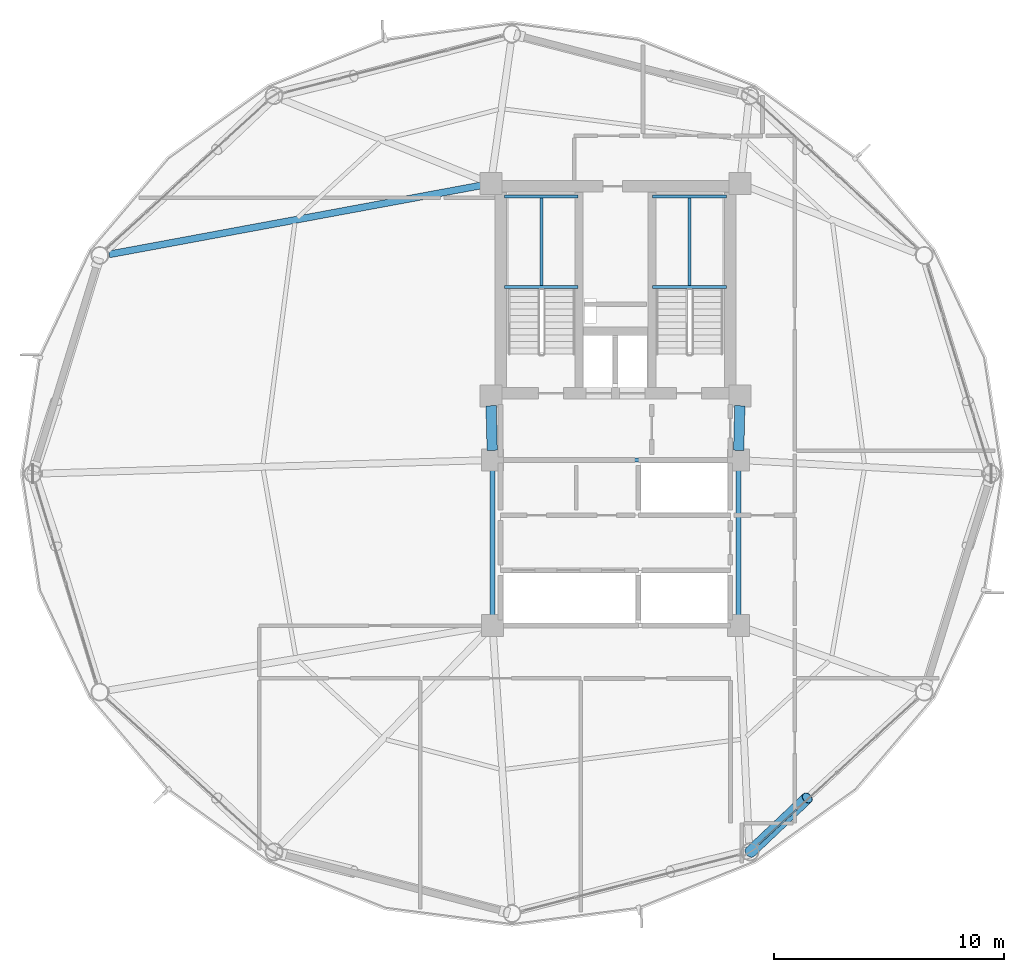
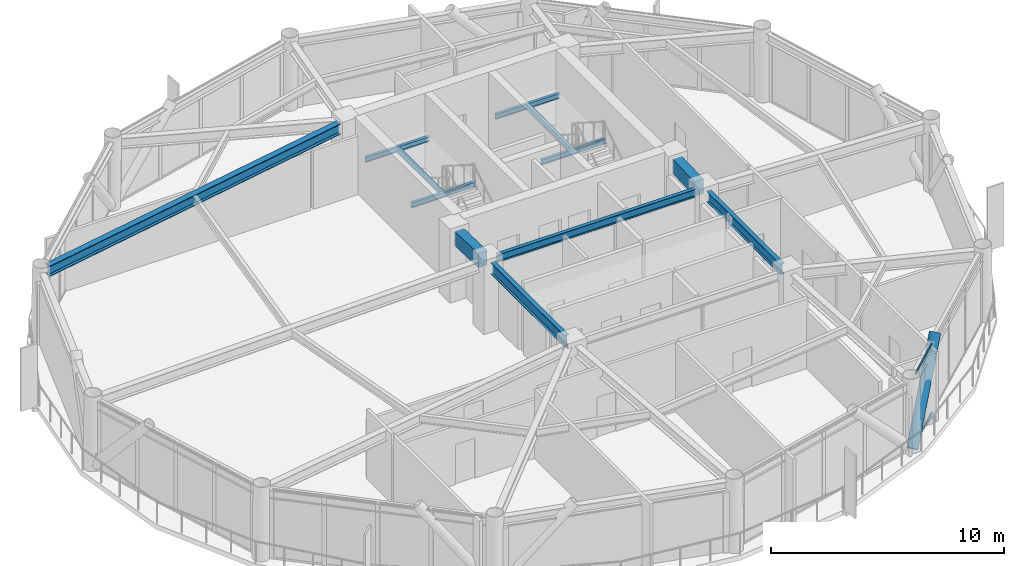
# One storey, part 12 of 25: 12 beams, 3 members, 1 element without a shape of its own.
"""IFC4 building model written with IfcOpenShell, lengths in metres."""

from ifc_helpers import new_model, si_unit, direction, frame, origin, origin_2d, place, context, subcontext, project, spatial, rectangle, hollow_rectangle, hollow_circle, i_section, extrude, material, layer, layer_set, material_profile, profile_set, type_object, element, aggregate, save


model = new_model("IFC4")

# Units and contexts
model_context = context("Model", 3, precision=1e-05, world=origin(), true_north=direction((0.0, 1.0)))
body_context = subcontext(model_context, "Body", "Model", "MODEL_VIEW")
ifc_project = project(units=[si_unit("LENGTHUNIT", "METRE"), si_unit("AREAUNIT", "SQUARE_METRE"), si_unit("VOLUMEUNIT", "CUBIC_METRE"), si_unit("PLANEANGLEUNIT", "RADIAN"), si_unit("MASSUNIT", "GRAM", prefix="KILO")], contexts=[model_context])

# Site, building, storey
site_placement = place(None, origin())
site = spatial("IfcSite", under=ifc_project, at=site_placement, CompositionType="ELEMENT")
building_placement = place(site_placement, origin())
building = spatial("IfcBuilding", under=site, at=building_placement, Name="Varnakorn Sky Granary", CompositionType="ELEMENT")
storey_placement = place(building_placement, frame((0.0, 0.0, 146.10009765625)))
storey = spatial("IfcBuildingStorey", under=building, at=storey_placement, Name="L36", CompositionType="ELEMENT", Elevation=146.10009765625)

# Beams
ifc_material_1 = material(Name="Steel S355JR", Category="steel")
ifc_material_profile_1 = material_profile(ifc_material_1, i_section(OverallWidth=0.2099609375, OverallDepth=0.550048828125, WebThickness=0.010986328125, FlangeThickness=0.01708984375, at=origin_2d()), Name="IPE 550")
ifc_profile_set_1 = profile_set([ifc_material_profile_1], Name="Steel S355JR")
beam_type_1 = type_object("IfcBeamType", Name="BM-JST-550", PredefinedType="JOIST", material=ifc_profile_set_1)
beam_1_placement = place(storey_placement, frame((8.35009765625, 0.179931640625, 3.364990234375), z_axis=(0.0, -1.0, 0.0), x_axis=(1.0, 0.0, 0.0)))
element("IfcBeam", 1, at=beam_1_placement, inside=storey, type_object=beam_type_1, Name="Core Spine Framing Beam 4 L36", PredefinedType="JOIST", context=body_context, shape_type="SweptSolid", body=[
    extrude(i_section(OverallWidth=0.2099609375, OverallDepth=0.550048828125, WebThickness=0.010986328125, FlangeThickness=0.01708984375, at=origin_2d()), origin(), (0.0, 0.0, 1.0), 6.35986328125),
])
ifc_material_profile_2 = material_profile(ifc_material_1, i_section(OverallWidth=0.219970703125, OverallDepth=0.60009765625, WebThickness=0.011962890625, FlangeThickness=0.01904296875, at=origin_2d()), Name="IPE 600")
ifc_profile_set_2 = profile_set([ifc_material_profile_2], Name="Steel S355JR")
beam_type_2 = type_object("IfcBeamType", Name="BM-JST-600", PredefinedType="JOIST", material=ifc_profile_set_2)
beam_2_placement = place(storey_placement, frame((-2.35009765625, 0.179931640625, 3.33984375), z_axis=(0.0, -1.0, 0.0), x_axis=(1.0, 0.0, 0.0)))
element("IfcBeam", 2, at=beam_2_placement, inside=storey, type_object=beam_type_2, Name="Core Spine Framing Beam 3 L36", PredefinedType="JOIST", context=body_context, shape_type="SweptSolid", body=[
    extrude(i_section(OverallWidth=0.219970703125, OverallDepth=0.60009765625, WebThickness=0.011962890625, FlangeThickness=0.01904296875, at=origin_2d()), origin(), (0.0, 0.0, 1.0), 6.35986328125),
])
ifc_material_2 = material(Name="Concrete C60/75", Category="concrete")
ifc_material_profile_3 = material_profile(ifc_material_2, rectangle(XDim=0.449951171875, YDim=0.75, at=origin_2d()), Name="RC 450x750")
ifc_profile_set_3 = profile_set([ifc_material_profile_3], Name="Concrete C60/75")
beam_type_3 = type_object("IfcBeamType", Name="BM-LIN-750", PredefinedType="LINTEL", material=ifc_profile_set_3)
for number, where, z_axis, x_axis, name in (
    (3, (-2.409423828125, 2.960205078125, 3.264892578125), (0.025158763514, -0.999683468213, 0.0), (0.999683468213, 0.025158763514, 0.0), "Core Spine Framing Beam 1 L36"),
    (4, (8.409423828125, 2.960205078125, 3.264892578125), (-0.025158763514, -0.999683468213, 0.0), (0.999683468213, -0.025158763514, 0.0), "Core Spine Framing Beam 2 L36"),
):
    element("IfcBeam", number, at=place(storey_placement, frame(where, z_axis=z_axis, x_axis=x_axis)), inside=storey, type_object=beam_type_3, Name=name, PredefinedType="LINTEL", context=body_context, shape_type="SweptSolid", body=[
        extrude(rectangle(XDim=0.449951171875, YDim=0.75, at=origin_2d()), origin(), (0.0, 0.0, 1.0), 1.94091796875),
    ])
ifc_material_profile_4 = material_profile(ifc_material_1, i_section(OverallWidth=0.135009765625, OverallDepth=0.27001953125, WebThickness=0.006591796875, FlangeThickness=0.01025390625, at=origin_2d()), Name="IPE 270")
ifc_profile_set_4 = profile_set([ifc_material_profile_4], Name="Steel S355JR")
beam_type_4 = type_object("IfcBeamType", Name="BM-LND-270", PredefinedType="BEAM", material=ifc_profile_set_4)
for number, where, z_axis, x_axis, name in (
    (5, (-1.820068359375, 8.1201171875, 1.614990234375), (1.0, 0.0, 0.0), (0.0, 1.0, 0.0), "Stair ST-1 Landing Trimmer Beam A L36-1"),
    (6, (-1.820068359375, 12.06005859375, 1.614990234375), (1.0, 0.0, 0.0), (0.0, 1.0, 0.0), "Stair ST-1 Landing Trimmer Beam B L36-1"),
):
    element("IfcBeam", number, at=place(storey_placement, frame(where, z_axis=z_axis, x_axis=x_axis)), inside=storey, type_object=beam_type_4, Name=name, PredefinedType="BEAM", context=body_context, shape_type="SweptSolid", body=[
        extrude(i_section(OverallWidth=0.135009765625, OverallDepth=0.27001953125, WebThickness=0.006591796875, FlangeThickness=0.01025390625, at=origin_2d()), origin(), (0.0, 0.0, 1.0), 3.199951171875),
    ])
beam_3_placement = place(storey_placement, frame((-0.219970703125, 8.1201171875, 1.614990234375), z_axis=(0.0, 1.0, 0.0), x_axis=(-1.0, 0.0, 0.0)))
element("IfcBeam", 7, at=beam_3_placement, inside=storey, type_object=beam_type_4, Name="Stair ST-1 Landing Cross Beam C L36-1", PredefinedType="BEAM", context=body_context, shape_type="SweptSolid", body=[
    extrude(i_section(OverallWidth=0.135009765625, OverallDepth=0.27001953125, WebThickness=0.006591796875, FlangeThickness=0.01025390625, at=origin_2d()), origin(), (0.0, 0.0, 1.0), 3.93994140625),
])
for number, where, z_axis, x_axis, name in (
    (8, (4.6201171875, 8.1201171875, 1.614990234375), (1.0, 0.0, 0.0), (0.0, 1.0, 0.0), "Stair ST-2 Landing Trimmer Beam A L36-1"),
    (9, (4.6201171875, 12.06005859375, 1.614990234375), (1.0, 0.0, 0.0), (0.0, 1.0, 0.0), "Stair ST-2 Landing Trimmer Beam B L36-1"),
):
    element("IfcBeam", number, at=place(storey_placement, frame(where, z_axis=z_axis, x_axis=x_axis)), inside=storey, type_object=beam_type_4, Name=name, PredefinedType="BEAM", context=body_context, shape_type="SweptSolid", body=[
        extrude(i_section(OverallWidth=0.135009765625, OverallDepth=0.27001953125, WebThickness=0.006591796875, FlangeThickness=0.01025390625, at=origin_2d()), origin(), (0.0, 0.0, 1.0), 3.199951171875),
    ])
beam_4_placement = place(storey_placement, frame((6.219970703125, 8.1201171875, 1.614990234375), z_axis=(0.0, 1.0, 0.0), x_axis=(-1.0, 0.0, 0.0)))
element("IfcBeam", 10, at=beam_4_placement, inside=storey, type_object=beam_type_4, Name="Stair ST-2 Landing Cross Beam C L36-1", PredefinedType="BEAM", context=body_context, shape_type="SweptSolid", body=[
    extrude(i_section(OverallWidth=0.135009765625, OverallDepth=0.27001953125, WebThickness=0.006591796875, FlangeThickness=0.01025390625, at=origin_2d()), origin(), (0.0, 0.0, 1.0), 3.93994140625),
])
ifc_material_profile_5 = material_profile(ifc_material_1, i_section(OverallWidth=0.300048828125, OverallDepth=0.550048828125, WebThickness=0.014892578125, FlangeThickness=0.029052734375, at=origin_2d()), Name="HE 550 B")
ifc_profile_set_5 = profile_set([ifc_material_profile_5], Name="Steel S355JR")
beam_type_5 = type_object("IfcBeamType", Name="BM-RAD-Z3", PredefinedType="BEAM", material=ifc_profile_set_5)
beam_5_placement = place(storey_placement, frame((-2.8330078125, 12.54345703125, 3.364990234375), z_axis=(-0.983256625891, -0.182226253986, 0.0), x_axis=(0.182226253986, -0.983256625891, 0.0)))
element("IfcBeam", 11, at=beam_5_placement, inside=storey, type_object=beam_type_5, Name="Radial Floor Girder RG06 L36", PredefinedType="BEAM", context=body_context, shape_type="SweptSolid", body=[
    extrude(i_section(OverallWidth=0.300048828125, OverallDepth=0.550048828125, WebThickness=0.014892578125, FlangeThickness=0.029052734375, at=origin_2d()), origin(), (0.0, 0.0, 1.0), 16.46435546875),
])
ifc_material_profile_6 = material_profile(ifc_material_1, i_section(OverallWidth=0.179931640625, OverallDepth=0.39990234375, WebThickness=0.008544921875, FlangeThickness=0.013427734375, at=origin_2d()), Name="IPE 400")
ifc_profile_set_6 = profile_set([ifc_material_profile_6], Name="Steel S355JR")
beam_type_6 = type_object("IfcBeamType", Name="BM-SEC-Z3", PredefinedType="BEAM", material=ifc_profile_set_6)
beam_6_placement = place(storey_placement, frame((-1.929931640625, 0.60009765625, 3.43994140625), z_axis=(1.0, 0.0, 0.0), x_axis=(0.0, 1.0, 0.0)))
element("IfcBeam", 12, at=beam_6_placement, inside=storey, type_object=beam_type_6, Name="Core Spine Framing Beam 5 L36", PredefinedType="BEAM", context=body_context, shape_type="SweptSolid", body=[
    extrude(i_section(OverallWidth=0.179931640625, OverallDepth=0.39990234375, WebThickness=0.008544921875, FlangeThickness=0.013427734375, at=origin_2d()), origin(), (0.0, 0.0, 1.0), 9.85986328125),
])

# Curtain wall, members
ifc_material_3 = material(Name="Anodised Bronze Aluminium Alloy 6063-T6", Category="aluminium")
ifc_layer = layer(ifc_material_3, 0.179931640625, Name="Anodised Bronze Aluminium Alloy 6063-T6")
ifc_layer_set = layer_set([ifc_layer], Name="Anodised Bronze Aluminium Alloy 6063-T6")
curtain_wall_type = type_object("IfcCurtainWallType", Name="CW-FRM-2", PredefinedType="USERDEFINED", material=ifc_layer_set)
curtain_wall_placement = place(storey_placement, origin())
curtain_wall = element("IfcCurtainWall", 13, at=curtain_wall_placement, inside=storey, type_object=curtain_wall_type, Name="Unitised Curtain Wall CW4 CW-L36-B11", ObjectType="CURTAIN WALL", PredefinedType="USERDEFINED")
ifc_material_profile_7 = material_profile(ifc_material_3, hollow_rectangle(XDim=0.06494140625, YDim=0.1201171875, WallThickness=0.00341796875, at=origin_2d()), Name="ALU TRAN 65x120")
ifc_profile_set_7 = profile_set([ifc_material_profile_7], Name="Anodised Bronze Aluminium Alloy 6063-T6")
member_type_1 = type_object("IfcMemberType", Name="CW-FRM-2-TRAN", PredefinedType="USERDEFINED", material=ifc_profile_set_7)
member_1_placement = place(storey_placement, frame((10.8896484375, -14.59130859375, 0.032470703125), z_axis=(-0.736933057547, -0.675965730415, 0.0), x_axis=(0.675965730415, -0.736933057547, 0.0)))
member_1 = element("IfcMember", 14, at=member_1_placement, type_object=member_type_1, Name="CW4 transom 4.1", ObjectType="TRANSOM", PredefinedType="USERDEFINED", context=body_context, shape_type="SweptSolid", body=[
    extrude(hollow_rectangle(XDim=0.06494140625, YDim=0.1201171875, WallThickness=0.00341796875, at=origin_2d()), origin(), (0.0, 0.0, 1.0), 2.24658203125),
])
member_2_placement = place(storey_placement, frame((10.8896484375, -14.59130859375, 3.607421875), z_axis=(-0.736933057547, -0.675965730415, 0.0), x_axis=(0.675965730415, -0.736933057547, 0.0)))
member_2 = element("IfcMember", 15, at=member_2_placement, type_object=member_type_1, Name="CW4 transom 4.2", ObjectType="TRANSOM", PredefinedType="USERDEFINED", context=body_context, shape_type="SweptSolid", body=[
    extrude(hollow_rectangle(XDim=0.06494140625, YDim=0.1201171875, WallThickness=0.00341796875, at=origin_2d()), origin(), (0.0, 0.0, 1.0), 2.24658203125),
])
aggregate(curtain_wall, [member_1, member_2])

# Member
ifc_material_4 = material(Name="Steel S460M", Category="steel")
ifc_material_profile_8 = material_profile(ifc_material_4, hollow_circle(Radius=0.25390625, WallThickness=0.01806640625, at=origin_2d()), Name="CHS 508x18")
ifc_profile_set_8 = profile_set([ifc_material_profile_8], Name="Steel S460M")
member_type_2 = type_object("IfcMemberType", Name="MB-DIAG-T2", PredefinedType="BRACE", material=ifc_profile_set_8)
member_3_placement = place(storey_placement, frame((8.857421875, -16.455322265625, 0.0), z_axis=(0.48673440517, 0.460920559286, 0.742052462331), x_axis=(-0.687590348597, 0.726098831094, 0.0)))
element("IfcMember", 16, at=member_3_placement, inside=storey, type_object=member_type_2, Name="Perimeter CHS Diagrid Brace DG11 L36", PredefinedType="BRACE", context=body_context, shape_type="SweptSolid", body=[
    extrude(hollow_circle(Radius=0.25390625, WallThickness=0.01806640625, at=origin_2d()), origin(), (0.0, 0.0, 1.0), 5.107177734375),
])

save(model, "model.ifc")
